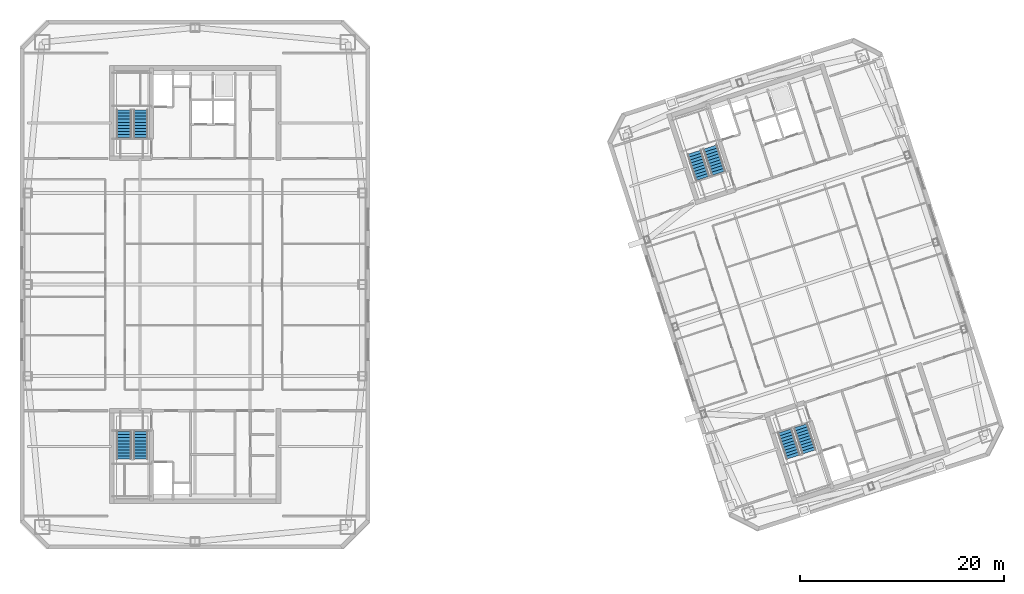
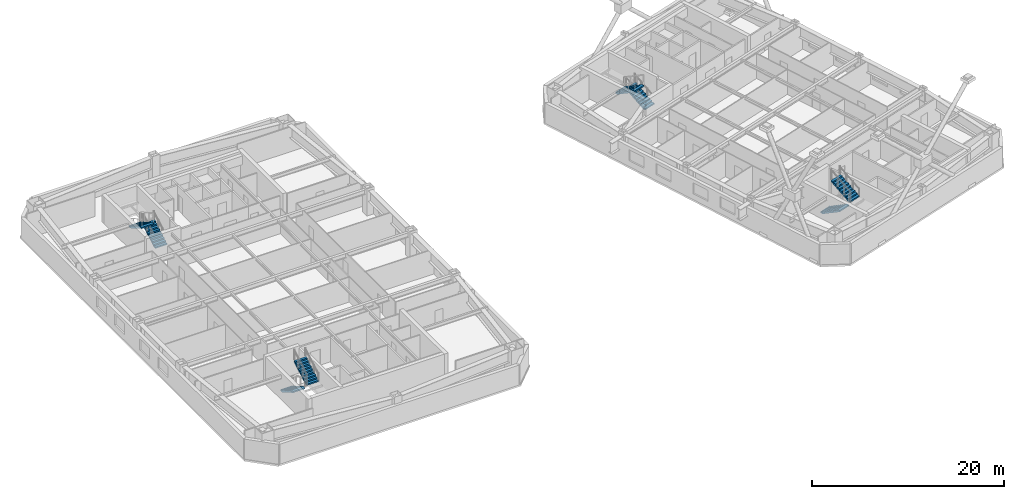
# One storey, part 12 of 15: 8 stair flights, 4 elements without a shape of their own.
"""IFC4 building model written with IfcOpenShell, lengths in metres."""

from ifc_helpers import new_model, si_unit, direction, frame, origin, place, context, subcontext, project, spatial, polyline, outline, extrude, material, type_object, element, aggregate, save


model = new_model("IFC4")

# Units and contexts
model_context = context("Model", 3, precision=1e-05, world=origin(), true_north=direction((0.0, 1.0)))
body_context = subcontext(model_context, "Body", "Model", "MODEL_VIEW")
ifc_project = project(units=[si_unit("LENGTHUNIT", "METRE"), si_unit("AREAUNIT", "SQUARE_METRE"), si_unit("VOLUMEUNIT", "CUBIC_METRE"), si_unit("PLANEANGLEUNIT", "RADIAN"), si_unit("MASSUNIT", "GRAM", prefix="KILO")], contexts=[model_context])

# Site, building, storey
site_placement = place(None, origin())
site = spatial("IfcSite", under=ifc_project, at=site_placement, CompositionType="ELEMENT")
building_placement = place(site_placement, origin())
building = spatial("IfcBuilding", under=site, at=building_placement, Name="Qiaolan Cultural Towers", CompositionType="ELEMENT")
storey_placement = place(building_placement, frame((0.0, 0.0, 212.75)))
storey = spatial("IfcBuildingStorey", under=building, at=storey_placement, Name="L57", CompositionType="ELEMENT", Elevation=212.75)

# Stair, stair flights
ifc_material_1 = material(Name="Concrete C45", Category="concrete")
stair_type = type_object("IfcStairType", Name="STR-CORE-1500", PredefinedType="HALF_TURN_STAIR", material=ifc_material_1)
stair_1_placement = place(storey_placement, origin())
stair_1 = element("IfcStair", 1, at=stair_1_placement, inside=storey, type_object=stair_type, Name="L57 Smokeproof Exit Stair ST-W1", PredefinedType="HALF_TURN_STAIR")
ifc_material_2 = material(Name="Concrete C45", Category="concrete")
stair_flight_type = type_object("IfcStairFlightType", Name="STR-CORE-1500-FL", PredefinedType="STRAIGHT", material=ifc_material_2)
stair_flight_1_placement = place(storey_placement, frame((23.02001953125, 19.550048828125, 0.0), z_axis=(0.0, 0.0, 1.0), x_axis=(0.0, -1.0, 0.0)))
stair_flight_1 = element("IfcStairFlight", 2, at=stair_flight_1_placement, type_object=stair_flight_type, Name="ST-W1 flight 1", NumberOfRisers=10, NumberOfTreads=9, PredefinedType="STRAIGHT", RiserHeight=0.1725, TreadLength=0.3, context=body_context, shape_type="SweptSolid", body=[
    extrude(outline(polyline([(0.0, 0.0), (0.0, 0.172607421875), (0.300048828125, 0.172607421875), (0.300048828125, 0.344970703125), (0.60009765625, 0.344970703125), (0.60009765625, 0.517578125), (0.89990234375, 0.517578125), (0.89990234375, 0.68994140625), (1.199951171875, 0.68994140625), (1.199951171875, 0.862548828125), (1.5, 0.862548828125), (1.5, 1.034912109375), (1.800048828125, 1.034912109375), (1.800048828125, 1.20751953125), (2.10009765625, 1.20751953125), (2.10009765625, 1.3798828125), (2.39990234375, 1.3798828125), (2.39990234375, 1.552490234375), (2.699951171875, 1.552490234375), (2.699951171875, 1.72509765625), (2.699951171875, 1.379638671875), (0.30078125, 0.0), (0.0, 0.0)])), frame((0.0, 0.719970703125, 0.0), z_axis=(0.0, -1.0, 0.0), x_axis=(1.0, 0.0, 0.0)), (0.0, 0.0, 1.0), 1.43994140625),
])
stair_flight_2_placement = place(storey_placement, frame((24.659912109375, 16.85009765625, 1.72509765625), z_axis=(0.0, 0.0, 1.0), x_axis=(0.0, 1.0, 0.0)))
stair_flight_2 = element("IfcStairFlight", 3, at=stair_flight_2_placement, type_object=stair_flight_type, Name="ST-W1 flight 2", NumberOfRisers=10, NumberOfTreads=9, PredefinedType="STRAIGHT", RiserHeight=0.1725, TreadLength=0.3, context=body_context, shape_type="SweptSolid", body=[
    extrude(outline(polyline([(0.0, 0.0), (0.0, 0.172607421875), (0.300048828125, 0.172607421875), (0.300048828125, 0.344970703125), (0.60009765625, 0.344970703125), (0.60009765625, 0.517578125), (0.89990234375, 0.517578125), (0.89990234375, 0.68994140625), (1.199951171875, 0.68994140625), (1.199951171875, 0.862548828125), (1.5, 0.862548828125), (1.5, 1.034912109375), (1.800048828125, 1.034912109375), (1.800048828125, 1.20751953125), (2.10009765625, 1.20751953125), (2.10009765625, 1.3798828125), (2.39990234375, 1.3798828125), (2.39990234375, 1.552490234375), (2.699951171875, 1.552490234375), (2.699951171875, 1.72509765625), (2.699951171875, 1.379638671875), (0.30078125, 0.0), (0.0, 0.0)])), frame((0.0, 0.719970703125, 0.0), z_axis=(0.0, -1.0, 0.0), x_axis=(1.0, 0.0, 0.0)), (0.0, 0.0, 1.0), 1.43994140625),
])
aggregate(stair_1, [stair_flight_1, stair_flight_2])

stair_2_placement = place(storey_placement, origin())
stair_2 = element("IfcStair", 4, at=stair_2_placement, inside=storey, type_object=stair_type, Name="L57 Smokeproof Exit Stair ST-W2", PredefinedType="HALF_TURN_STAIR")
stair_flight_3_placement = place(storey_placement, frame((24.659912109375, 48.449951171875, 0.0), z_axis=(0.0, 0.0, 1.0), x_axis=(0.0, 1.0, 0.0)))
stair_flight_3 = element("IfcStairFlight", 5, at=stair_flight_3_placement, type_object=stair_flight_type, Name="ST-W2 flight 1", NumberOfRisers=10, NumberOfTreads=9, PredefinedType="STRAIGHT", RiserHeight=0.1725, TreadLength=0.3, context=body_context, shape_type="SweptSolid", body=[
    extrude(outline(polyline([(0.0, 0.0), (0.0, 0.172607421875), (0.300048828125, 0.172607421875), (0.300048828125, 0.344970703125), (0.60009765625, 0.344970703125), (0.60009765625, 0.517578125), (0.89990234375, 0.517578125), (0.89990234375, 0.68994140625), (1.199951171875, 0.68994140625), (1.199951171875, 0.862548828125), (1.5, 0.862548828125), (1.5, 1.034912109375), (1.800048828125, 1.034912109375), (1.800048828125, 1.20751953125), (2.10009765625, 1.20751953125), (2.10009765625, 1.3798828125), (2.39990234375, 1.3798828125), (2.39990234375, 1.552490234375), (2.699951171875, 1.552490234375), (2.699951171875, 1.72509765625), (2.699951171875, 1.379638671875), (0.30078125, 0.0), (0.0, 0.0)])), frame((0.0, 0.719970703125, 0.0), z_axis=(0.0, -1.0, 0.0), x_axis=(1.0, 0.0, 0.0)), (0.0, 0.0, 1.0), 1.43994140625),
])
stair_flight_4_placement = place(storey_placement, frame((23.02001953125, 51.14990234375, 1.72509765625), z_axis=(0.0, 0.0, 1.0), x_axis=(0.0, -1.0, 0.0)))
stair_flight_4 = element("IfcStairFlight", 6, at=stair_flight_4_placement, type_object=stair_flight_type, Name="ST-W2 flight 2", NumberOfRisers=10, NumberOfTreads=9, PredefinedType="STRAIGHT", RiserHeight=0.1725, TreadLength=0.3, context=body_context, shape_type="SweptSolid", body=[
    extrude(outline(polyline([(0.0, 0.0), (0.0, 0.172607421875), (0.300048828125, 0.172607421875), (0.300048828125, 0.344970703125), (0.60009765625, 0.344970703125), (0.60009765625, 0.517578125), (0.89990234375, 0.517578125), (0.89990234375, 0.68994140625), (1.199951171875, 0.68994140625), (1.199951171875, 0.862548828125), (1.5, 0.862548828125), (1.5, 1.034912109375), (1.800048828125, 1.034912109375), (1.800048828125, 1.20751953125), (2.10009765625, 1.20751953125), (2.10009765625, 1.3798828125), (2.39990234375, 1.3798828125), (2.39990234375, 1.552490234375), (2.699951171875, 1.552490234375), (2.699951171875, 1.72509765625), (2.699951171875, 1.379638671875), (0.30078125, 0.0), (0.0, 0.0)])), frame((0.0, 0.719970703125, 0.0), z_axis=(0.0, -1.0, 0.0), x_axis=(1.0, 0.0, 0.0)), (0.0, 0.0, 1.0), 1.43994140625),
])
aggregate(stair_2, [stair_flight_3, stair_flight_4])

stair_3_placement = place(storey_placement, origin())
stair_3 = element("IfcStair", 7, at=stair_3_placement, inside=storey, type_object=stair_type, Name="L57 Smokeproof Exit Stair ST-E1", PredefinedType="HALF_TURN_STAIR")
stair_flight_5_placement = place(storey_placement, frame((87.96484375, 19.6171875, 0.0), z_axis=(0.0, 0.0, 1.0), x_axis=(0.309016994375, -0.951056516295, 0.0)))
stair_flight_5 = element("IfcStairFlight", 8, at=stair_flight_5_placement, type_object=stair_flight_type, Name="ST-E1 flight 1", NumberOfRisers=10, NumberOfTreads=9, PredefinedType="STRAIGHT", RiserHeight=0.1725, TreadLength=0.3, context=body_context, shape_type="SweptSolid", body=[
    extrude(outline(polyline([(0.0, 0.0), (0.0, 0.172607421875), (0.300048828125, 0.172607421875), (0.300048828125, 0.344970703125), (0.60009765625, 0.344970703125), (0.60009765625, 0.517578125), (0.89990234375, 0.517578125), (0.89990234375, 0.68994140625), (1.199951171875, 0.68994140625), (1.199951171875, 0.862548828125), (1.5, 0.862548828125), (1.5, 1.034912109375), (1.800048828125, 1.034912109375), (1.800048828125, 1.20751953125), (2.10009765625, 1.20751953125), (2.10009765625, 1.3798828125), (2.39990234375, 1.3798828125), (2.39990234375, 1.552490234375), (2.699951171875, 1.552490234375), (2.699951171875, 1.72509765625), (2.699951171875, 1.379638671875), (0.30078125, 0.0), (0.0, 0.0)])), frame((0.0, 0.719970703125, 0.0), z_axis=(0.0, -1.0, 0.0), x_axis=(1.0, 0.0, 0.0)), (0.0, 0.0, 1.0), 1.43994140625),
])
stair_flight_6_placement = place(storey_placement, frame((90.359130859375, 17.55615234375, 1.72509765625), z_axis=(0.0, 0.0, 1.0), x_axis=(-0.309016994375, 0.951056516295, 0.0)))
stair_flight_6 = element("IfcStairFlight", 9, at=stair_flight_6_placement, type_object=stair_flight_type, Name="ST-E1 flight 2", NumberOfRisers=10, NumberOfTreads=9, PredefinedType="STRAIGHT", RiserHeight=0.1725, TreadLength=0.3, context=body_context, shape_type="SweptSolid", body=[
    extrude(outline(polyline([(0.0, 0.0), (0.0, 0.172607421875), (0.300048828125, 0.172607421875), (0.300048828125, 0.344970703125), (0.60009765625, 0.344970703125), (0.60009765625, 0.517578125), (0.89990234375, 0.517578125), (0.89990234375, 0.68994140625), (1.199951171875, 0.68994140625), (1.199951171875, 0.862548828125), (1.5, 0.862548828125), (1.5, 1.034912109375), (1.800048828125, 1.034912109375), (1.800048828125, 1.20751953125), (2.10009765625, 1.20751953125), (2.10009765625, 1.3798828125), (2.39990234375, 1.3798828125), (2.39990234375, 1.552490234375), (2.699951171875, 1.552490234375), (2.699951171875, 1.72509765625), (2.699951171875, 1.379638671875), (0.30078125, 0.0), (0.0, 0.0)])), frame((0.0, 0.719970703125, 0.0), z_axis=(0.0, -1.0, 0.0), x_axis=(1.0, 0.0, 0.0)), (0.0, 0.0, 1.0), 1.43994140625),
])
aggregate(stair_3, [stair_flight_5, stair_flight_6])

stair_4_placement = place(storey_placement, origin())
stair_4 = element("IfcStair", 10, at=stair_4_placement, inside=storey, type_object=stair_type, Name="L57 Smokeproof Exit Stair ST-E2", PredefinedType="HALF_TURN_STAIR")
stair_flight_7_placement = place(storey_placement, frame((81.459228515625, 44.946533203125, 0.0), z_axis=(0.0, 0.0, 1.0), x_axis=(-0.309016994375, 0.951056516295, 0.0)))
stair_flight_7 = element("IfcStairFlight", 11, at=stair_flight_7_placement, type_object=stair_flight_type, Name="ST-E2 flight 1", NumberOfRisers=10, NumberOfTreads=9, PredefinedType="STRAIGHT", RiserHeight=0.1725, TreadLength=0.3, context=body_context, shape_type="SweptSolid", body=[
    extrude(outline(polyline([(0.0, 0.0), (0.0, 0.172607421875), (0.300048828125, 0.172607421875), (0.300048828125, 0.344970703125), (0.60009765625, 0.344970703125), (0.60009765625, 0.517578125), (0.89990234375, 0.517578125), (0.89990234375, 0.68994140625), (1.199951171875, 0.68994140625), (1.199951171875, 0.862548828125), (1.5, 0.862548828125), (1.5, 1.034912109375), (1.800048828125, 1.034912109375), (1.800048828125, 1.20751953125), (2.10009765625, 1.20751953125), (2.10009765625, 1.3798828125), (2.39990234375, 1.3798828125), (2.39990234375, 1.552490234375), (2.699951171875, 1.552490234375), (2.699951171875, 1.72509765625), (2.699951171875, 1.379638671875), (0.30078125, 0.0), (0.0, 0.0)])), frame((0.0, 0.719970703125, 0.0), z_axis=(0.0, -1.0, 0.0), x_axis=(1.0, 0.0, 0.0)), (0.0, 0.0, 1.0), 1.43994140625),
])
stair_flight_8_placement = place(storey_placement, frame((79.065185546875, 47.007568359375, 1.72509765625), z_axis=(0.0, 0.0, 1.0), x_axis=(0.309016994375, -0.951056516295, 0.0)))
stair_flight_8 = element("IfcStairFlight", 12, at=stair_flight_8_placement, type_object=stair_flight_type, Name="ST-E2 flight 2", NumberOfRisers=10, NumberOfTreads=9, PredefinedType="STRAIGHT", RiserHeight=0.1725, TreadLength=0.3, context=body_context, shape_type="SweptSolid", body=[
    extrude(outline(polyline([(0.0, 0.0), (0.0, 0.172607421875), (0.300048828125, 0.172607421875), (0.300048828125, 0.344970703125), (0.60009765625, 0.344970703125), (0.60009765625, 0.517578125), (0.89990234375, 0.517578125), (0.89990234375, 0.68994140625), (1.199951171875, 0.68994140625), (1.199951171875, 0.862548828125), (1.5, 0.862548828125), (1.5, 1.034912109375), (1.800048828125, 1.034912109375), (1.800048828125, 1.20751953125), (2.10009765625, 1.20751953125), (2.10009765625, 1.3798828125), (2.39990234375, 1.3798828125), (2.39990234375, 1.552490234375), (2.699951171875, 1.552490234375), (2.699951171875, 1.72509765625), (2.699951171875, 1.379638671875), (0.30078125, 0.0), (0.0, 0.0)])), frame((0.0, 0.719970703125, 0.0), z_axis=(0.0, -1.0, 0.0), x_axis=(1.0, 0.0, 0.0)), (0.0, 0.0, 1.0), 1.43994140625),
])
aggregate(stair_4, [stair_flight_7, stair_flight_8])

save(model, "model.ifc")
